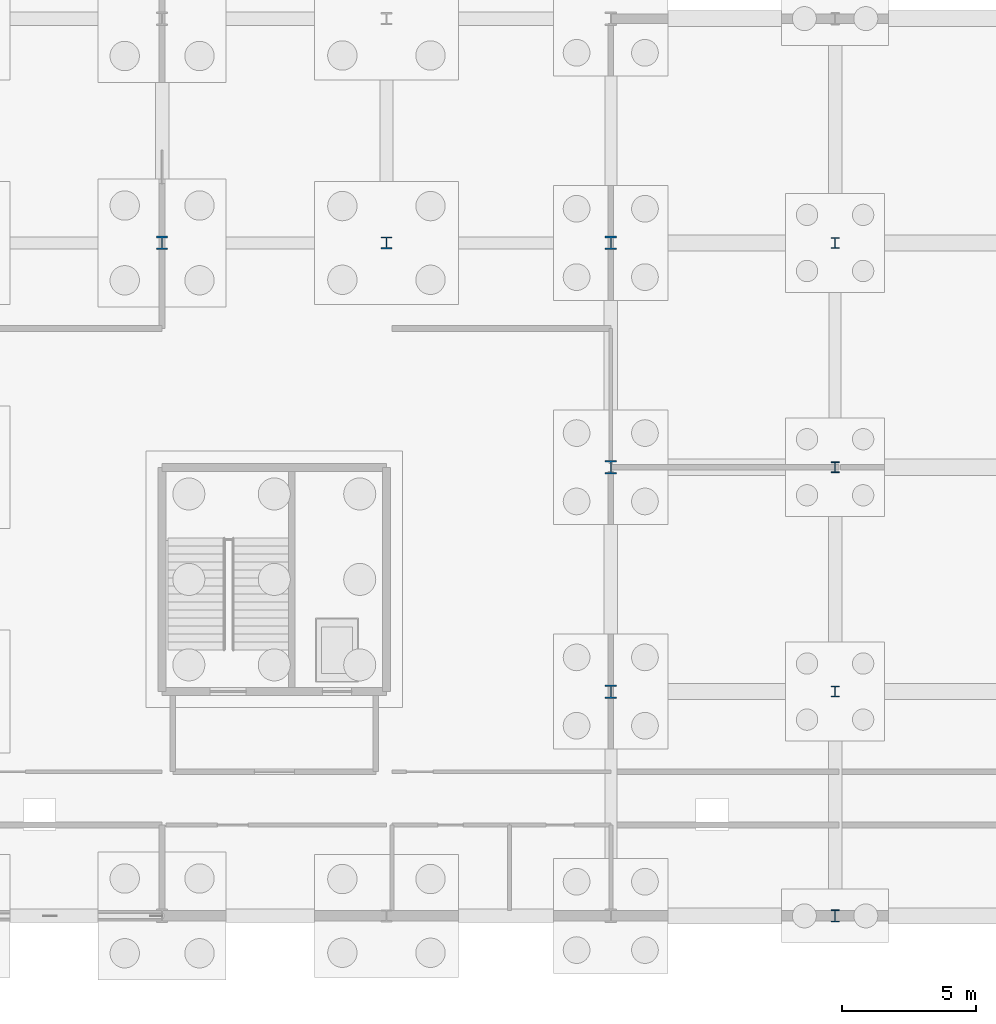
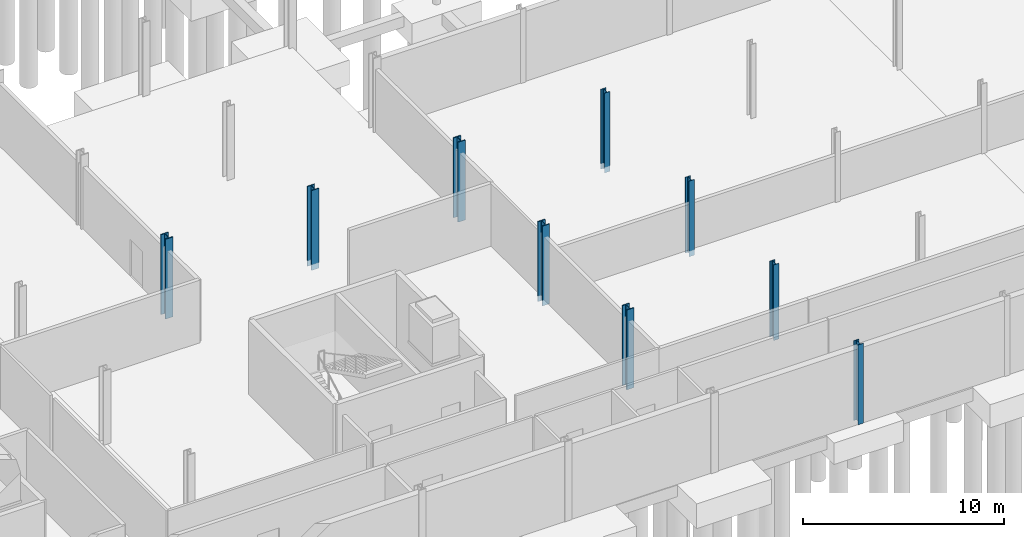
# One storey, part 13 of 51: 9 columns.
"""IFC4 building model written with IfcOpenShell, lengths in metres."""

from ifc_helpers import new_model, si_unit, direction, frame, origin, origin_2d, place, context, subcontext, project, spatial, i_section, extrude, material, material_profile, profile_set, type_object, element, save


model = new_model("IFC4")

# Units and contexts
model_context = context("Model", 3, precision=1e-05, world=origin(), true_north=direction((0.0, 1.0)))
body_context = subcontext(model_context, "Body", "Model", "MODEL_VIEW")
ifc_project = project(units=[si_unit("LENGTHUNIT", "METRE"), si_unit("AREAUNIT", "SQUARE_METRE"), si_unit("VOLUMEUNIT", "CUBIC_METRE"), si_unit("PLANEANGLEUNIT", "RADIAN"), si_unit("MASSUNIT", "GRAM", prefix="KILO")], contexts=[model_context])

# Site, building, storey
site_placement = place(None, origin())
site = spatial("IfcSite", under=ifc_project, at=site_placement, CompositionType="ELEMENT")
building_placement = place(site_placement, origin())
building = spatial("IfcBuilding", under=site, at=building_placement, Name="Qalvenar Corner Mobility Hub", CompositionType="ELEMENT")
storey_placement = place(building_placement, frame((0.0, 0.0, -4.5)))
storey = spatial("IfcBuildingStorey", under=building, at=storey_placement, Name="B1", CompositionType="ELEMENT", Elevation=-4.5)

# Columns
ifc_material = material(Name="Steel S355", Category="steel")
ifc_material_profile_1 = material_profile(ifc_material, i_section(OverallWidth=0.412109375, OverallDepth=0.455078125, WebThickness=0.030517578125, FlangeThickness=0.049072265625, FilletRadius=0.014892578125, at=origin_2d()), Name="HD400x421")
ifc_profile_set_1 = profile_set([ifc_material_profile_1], Name="Steel S355")
column_type_1 = type_object("IfcColumnType", Name="COL-HD400X382", PredefinedType="COLUMN", material=ifc_profile_set_1)
column_1_placement = place(storey_placement, frame((42.0, 25.199951171875, -0.35009765625), z_axis=(0.0, 0.0, 1.0), x_axis=(1.0, 0.0, 0.0)))
element("IfcColumn", 1, at=column_1_placement, inside=storey, type_object=column_type_1, Name="Steel Column B1-G6-3", PredefinedType="COLUMN", context=body_context, shape_type="SweptSolid", body=[
    extrude(i_section(OverallWidth=0.412109375, OverallDepth=0.455078125, WebThickness=0.030517578125, FlangeThickness=0.049072265625, FilletRadius=0.014892578125, at=origin_2d()), origin(), (0.0, 0.0, 1.0), 4.85009765625),
])
ifc_material_profile_2 = material_profile(ifc_material, i_section(OverallWidth=0.419921875, OverallDepth=0.5048828125, WebThickness=0.03662109375, FlangeThickness=0.05908203125, FilletRadius=0.014892578125, at=origin_2d()), Name="HD400x551")
ifc_profile_set_2 = profile_set([ifc_material_profile_2], Name="Steel S355")
column_type_2 = type_object("IfcColumnType", Name="COL-HD400X463", PredefinedType="COLUMN", material=ifc_profile_set_2)
for number, where, z_axis, x_axis, name in (
    (2, (33.60009765625, 25.199951171875, -0.35009765625), (0.0, 0.0, 1.0), (1.0, 0.0, 0.0), "Steel Column B1-G5-3"),
    (3, (50.39990234375, 8.39990234375, -0.35009765625), (0.0, 0.0, 1.0), (1.0, 0.0, 0.0), "Steel Column B1-G7-1"),
    (4, (50.39990234375, 16.800048828125, -0.35009765625), (0.0, 0.0, 1.0), (1.0, 0.0, 0.0), "Steel Column B1-G7-2"),
    (5, (50.39990234375, 25.199951171875, -0.35009765625), (0.0, 0.0, 1.0), (1.0, 0.0, 0.0), "Steel Column B1-G7-3"),
):
    element("IfcColumn", number, at=place(storey_placement, frame(where, z_axis=z_axis, x_axis=x_axis)), inside=storey, type_object=column_type_2, Name=name, PredefinedType="COLUMN", context=body_context, shape_type="SweptSolid", body=[
        extrude(i_section(OverallWidth=0.419921875, OverallDepth=0.5048828125, WebThickness=0.03662109375, FlangeThickness=0.05908203125, FilletRadius=0.014892578125, at=origin_2d()), origin(), (0.0, 0.0, 1.0), 4.85009765625),
    ])
ifc_material_profile_3 = material_profile(ifc_material, i_section(OverallWidth=0.300048828125, OverallDepth=0.39990234375, WebThickness=0.013427734375, FlangeThickness=0.02392578125, FilletRadius=0.027099609375, at=origin_2d()), Name="HEB400")
ifc_profile_set_3 = profile_set([ifc_material_profile_3], Name="Steel S355")
column_type_3 = type_object("IfcColumnType", Name="COL-HEB400", PredefinedType="COLUMN", material=ifc_profile_set_3)
for number, where, z_axis, x_axis, name in (
    (6, (58.800048828125, 8.39990234375, -0.35009765625), (0.0, 0.0, 1.0), (1.0, 0.0, 0.0), "Steel Column B1-G8-1"),
    (7, (58.800048828125, 16.800048828125, -0.35009765625), (0.0, 0.0, 1.0), (1.0, 0.0, 0.0), "Steel Column B1-G8-2"),
):
    element("IfcColumn", number, at=place(storey_placement, frame(where, z_axis=z_axis, x_axis=x_axis)), inside=storey, type_object=column_type_3, Name=name, PredefinedType="COLUMN", context=body_context, shape_type="SweptSolid", body=[
        extrude(i_section(OverallWidth=0.300048828125, OverallDepth=0.39990234375, WebThickness=0.013427734375, FlangeThickness=0.02392578125, FilletRadius=0.027099609375, at=origin_2d()), origin(), (0.0, 0.0, 1.0), 4.60009765625),
    ])
column_2_placement = place(storey_placement, frame((58.800048828125, 25.199951171875, -0.35009765625), z_axis=(0.0, 0.0, 1.0), x_axis=(1.0, 0.0, 0.0)))
element("IfcColumn", 8, at=column_2_placement, inside=storey, type_object=column_type_3, Name="Steel Column B1-G8-3", PredefinedType="COLUMN", context=body_context, shape_type="SweptSolid", body=[
    extrude(i_section(OverallWidth=0.300048828125, OverallDepth=0.39990234375, WebThickness=0.013427734375, FlangeThickness=0.02392578125, FilletRadius=0.027099609375, at=origin_2d()), origin(), (0.0, 0.0, 1.0), 4.85009765625),
])
ifc_material_profile_4 = material_profile(ifc_material, i_section(OverallWidth=0.300048828125, OverallDepth=0.449951171875, WebThickness=0.013916015625, FlangeThickness=0.02587890625, FilletRadius=0.027099609375, at=origin_2d()), Name="HEB450")
ifc_profile_set_4 = profile_set([ifc_material_profile_4], Name="Steel S355")
column_type_4 = type_object("IfcColumnType", Name="COL-HEB450", PredefinedType="COLUMN", material=ifc_profile_set_4)
column_3_placement = place(storey_placement, frame((58.800048828125, 0.0, -0.35009765625), z_axis=(0.0, 0.0, 1.0), x_axis=(1.0, 0.0, 0.0)))
element("IfcColumn", 9, at=column_3_placement, inside=storey, type_object=column_type_4, Name="Steel Column B1-G8-0", PredefinedType="COLUMN", context=body_context, shape_type="SweptSolid", body=[
    extrude(i_section(OverallWidth=0.300048828125, OverallDepth=0.449951171875, WebThickness=0.013916015625, FlangeThickness=0.02587890625, FilletRadius=0.027099609375, at=origin_2d()), origin(), (0.0, 0.0, 1.0), 4.85009765625),
])

save(model, "model.ifc")
